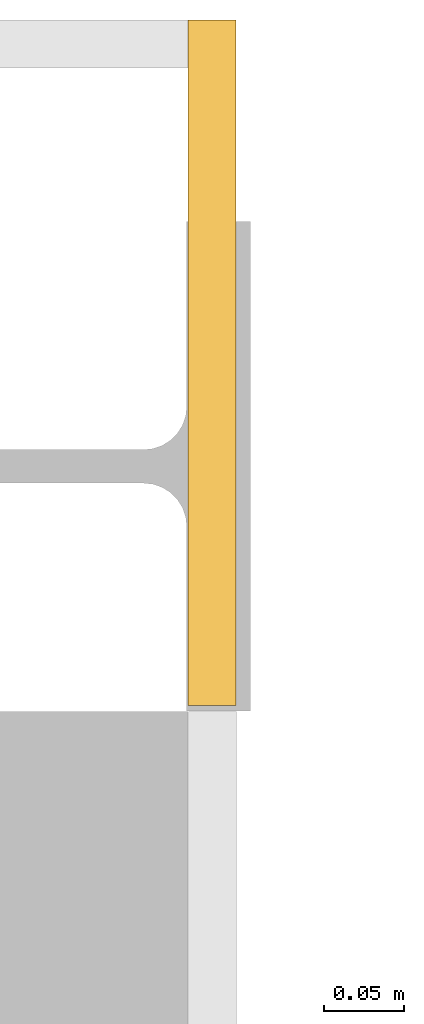
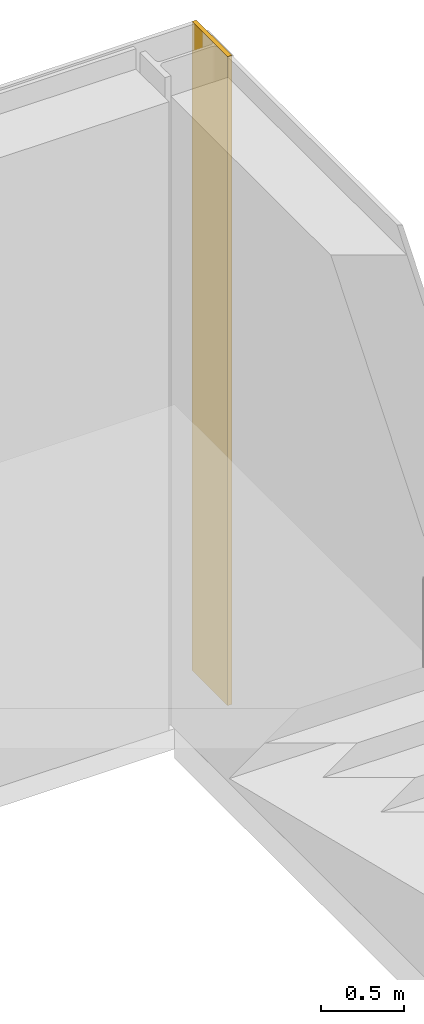
# One storey, part 51 of 52: 1 covering.
"""IFC4 building model written with IfcOpenShell, lengths in metres."""

from ifc_helpers import new_model, si_unit, direction, frame, origin, origin_2d, place, context, subcontext, project, spatial, rectangle, extrude, material, layer, layer_set, type_object, element, save


model = new_model("IFC4")

# Units and contexts
model_context = context("Model", 3, precision=1e-05, world=origin(), true_north=direction((0.0, 1.0)))
body_context = subcontext(model_context, "Body", "Model", "MODEL_VIEW")
ifc_project = project(units=[si_unit("LENGTHUNIT", "METRE"), si_unit("AREAUNIT", "SQUARE_METRE"), si_unit("VOLUMEUNIT", "CUBIC_METRE"), si_unit("PLANEANGLEUNIT", "RADIAN"), si_unit("MASSUNIT", "GRAM", prefix="KILO")], contexts=[model_context])

# Site, building, storey
site_placement = place(None, origin())
site = spatial("IfcSite", under=ifc_project, at=site_placement, CompositionType="ELEMENT")
building_placement = place(site_placement, origin())
building = spatial("IfcBuilding", under=site, at=building_placement, Name="Galleria Vessillo Department Store", CompositionType="ELEMENT")
storey_placement = place(building_placement, frame((0.0, 0.0, 16.199951171875)))
storey = spatial("IfcBuildingStorey", under=building, at=storey_placement, Name="L03", CompositionType="ELEMENT", Elevation=16.199951171875)

# Covering
ifc_material = material(Name="Lime plaster (intonaco) ochre")
ifc_layer = layer(ifc_material, 0.030029296875)
ifc_layer_set = layer_set([ifc_layer], Name="Lime plaster (intonaco) ochre")
covering_type = type_object("IfcCoveringType", Name="Lime plaster render 30 mm", PredefinedType="CLADDING", material=ifc_layer_set)
covering_placement = place(storey_placement, frame((117.81494140625, 63.06494140625, 0.0), z_axis=(0.0, 0.0, 1.0), x_axis=(1.0, 0.0, 0.0)))
element("IfcCovering", 1, at=covering_placement, inside=storey, type_object=covering_type, Name="Corner cladding L03 y=63 east face", PredefinedType="CLADDING", context=body_context, shape_type="SweptSolid", body=[
    extrude(rectangle(XDim=0.030029296875, YDim=0.429931640625, at=origin_2d()), origin(), (0.0, 0.0, 1.0), 4.800048828125),
])

save(model, "model.ifc")
